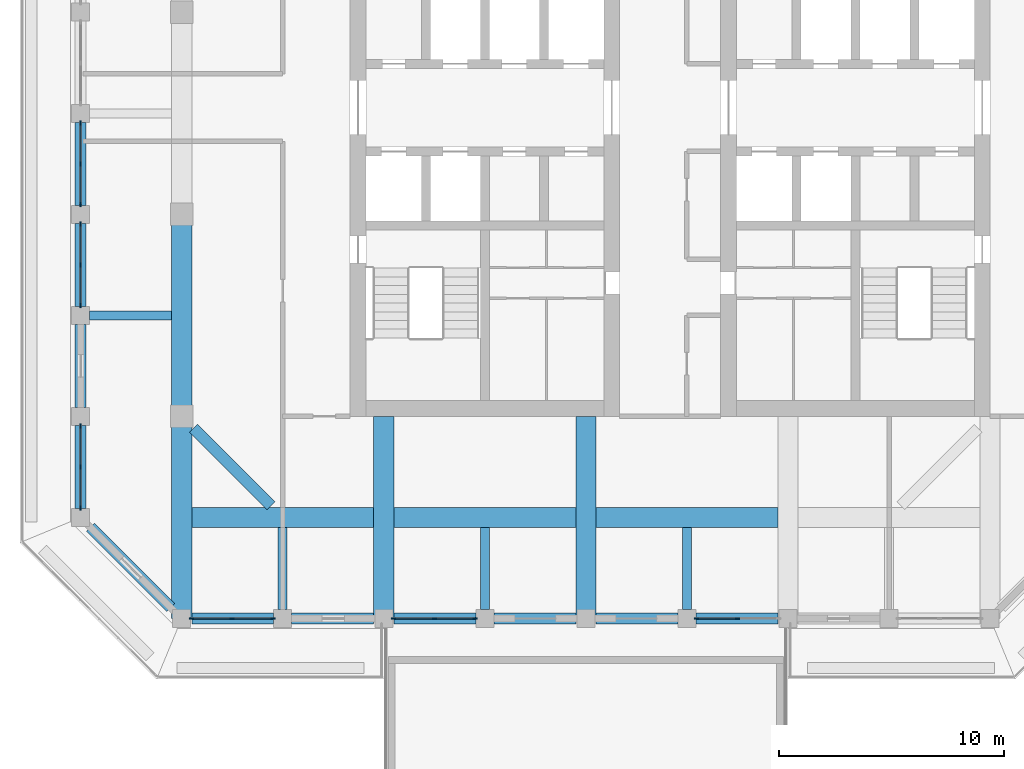
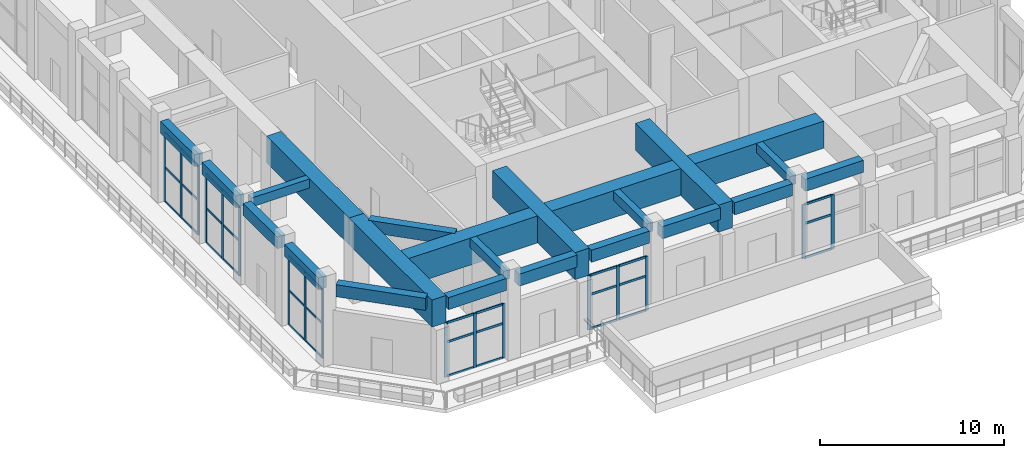
# One storey, part 2 of 20: 50 members, 23 beams, 6 elements without a shape of their own.
"""IFC4 building model written with IfcOpenShell, lengths in metres."""

from ifc_helpers import new_model, si_unit, direction, frame, origin, origin_2d, place, context, subcontext, project, spatial, rectangle, extrude, material, material_profile, profile_set, type_object, element, aggregate, save


model = new_model("IFC4")

# Units and contexts
model_context = context("Model", 3, precision=1e-05, world=origin(), true_north=direction((0.0, 1.0)))
body_context = subcontext(model_context, "Body", "Model", "MODEL_VIEW")
ifc_project = project(units=[si_unit("LENGTHUNIT", "METRE"), si_unit("AREAUNIT", "SQUARE_METRE"), si_unit("VOLUMEUNIT", "CUBIC_METRE"), si_unit("PLANEANGLEUNIT", "RADIAN"), si_unit("MASSUNIT", "GRAM", prefix="KILO")], contexts=[model_context])

# Site, building, storey
site_placement = place(None, origin())
site = spatial("IfcSite", under=ifc_project, at=site_placement, CompositionType="ELEMENT")
building_placement = place(site_placement, origin())
building = spatial("IfcBuilding", under=site, at=building_placement, Name="Corbel Stack Research Tower", CompositionType="ELEMENT")
storey_placement = place(building_placement, frame((0.0, 0.0, 295.0)))
storey = spatial("IfcBuildingStorey", under=building, at=storey_placement, Name="L67", CompositionType="ELEMENT", Elevation=295.0)

# Curtain wall, members
ifc_material_1 = material(Name="Aluminium frame, clear glass", Category="aluminium")
curtain_wall_type = type_object("IfcCurtainWallType", Name="Upper amenity floor curtain wall CW3", PredefinedType="NOTDEFINED", material=ifc_material_1)
curtain_wall_1_placement = place(storey_placement, origin())
curtain_wall_1 = element("IfcCurtainWall", 1, at=curtain_wall_1_placement, inside=storey, type_object=curtain_wall_type, Name="Curtain wall CW3 L67 S01", PredefinedType="NOTDEFINED")
ifc_material_2 = material(Name="Aluminium mullion", Category="aluminium")
ifc_material_profile_1 = material_profile(ifc_material_2, rectangle(XDim=0.06005859375, YDim=0.199951171875, at=origin_2d()), Name="Mullion 60 x 200")
ifc_profile_set_1 = profile_set([ifc_material_profile_1], Name="Aluminium mullion")
member_type_1 = type_object("IfcMemberType", Name="Curtain wall mullion 60 x 200", PredefinedType="MULLION", material=ifc_profile_set_1)
member_1_placement = place(storey_placement, frame((-17.570068359375, -18.0, 0.0), z_axis=(0.0, 0.0, 1.0), x_axis=(0.0, 1.0, 0.0)))
member_1 = element("IfcMember", 2, at=member_1_placement, type_object=member_type_1, Name="CW3 mullion 1", PredefinedType="MULLION", context=body_context, shape_type="SweptSolid", body=[
    extrude(rectangle(XDim=0.06005859375, YDim=0.199951171875, at=origin_2d()), origin(), (0.0, 0.0, 1.0), 3.60009765625),
])
member_2_placement = place(storey_placement, frame((-15.75, -18.0, 0.0), z_axis=(0.0, 0.0, 1.0), x_axis=(0.0, 1.0, 0.0)))
member_2 = element("IfcMember", 3, at=member_2_placement, type_object=member_type_1, Name="CW3 mullion 2", PredefinedType="MULLION", context=body_context, shape_type="SweptSolid", body=[
    extrude(rectangle(XDim=0.06005859375, YDim=0.199951171875, at=origin_2d()), origin(), (0.0, 0.0, 1.0), 3.60009765625),
])
member_3_placement = place(storey_placement, frame((-13.929931640625, -18.0, 0.0), z_axis=(0.0, 0.0, 1.0), x_axis=(0.0, 1.0, 0.0)))
member_3 = element("IfcMember", 4, at=member_3_placement, type_object=member_type_1, Name="CW3 mullion 3", PredefinedType="MULLION", context=body_context, shape_type="SweptSolid", body=[
    extrude(rectangle(XDim=0.06005859375, YDim=0.199951171875, at=origin_2d()), origin(), (0.0, 0.0, 1.0), 3.60009765625),
])

curtain_wall_2_placement = place(storey_placement, origin())
curtain_wall_2 = element("IfcCurtainWall", 5, at=curtain_wall_2_placement, inside=storey, type_object=curtain_wall_type, Name="Curtain wall CW3 L67 S03", PredefinedType="NOTDEFINED")
member_4_placement = place(storey_placement, frame((-8.570068359375, -18.0, 0.0), z_axis=(0.0, 0.0, 1.0), x_axis=(0.0, 1.0, 0.0)))
member_4 = element("IfcMember", 6, at=member_4_placement, type_object=member_type_1, Name="CW3 mullion 1", PredefinedType="MULLION", context=body_context, shape_type="SweptSolid", body=[
    extrude(rectangle(XDim=0.06005859375, YDim=0.199951171875, at=origin_2d()), origin(), (0.0, 0.0, 1.0), 3.60009765625),
])
member_5_placement = place(storey_placement, frame((-6.75, -18.0, 0.0), z_axis=(0.0, 0.0, 1.0), x_axis=(0.0, 1.0, 0.0)))
member_5 = element("IfcMember", 7, at=member_5_placement, type_object=member_type_1, Name="CW3 mullion 2", PredefinedType="MULLION", context=body_context, shape_type="SweptSolid", body=[
    extrude(rectangle(XDim=0.06005859375, YDim=0.199951171875, at=origin_2d()), origin(), (0.0, 0.0, 1.0), 3.60009765625),
])
member_6_placement = place(storey_placement, frame((-4.929931640625, -18.0, 0.0), z_axis=(0.0, 0.0, 1.0), x_axis=(0.0, 1.0, 0.0)))
member_6 = element("IfcMember", 8, at=member_6_placement, type_object=member_type_1, Name="CW3 mullion 3", PredefinedType="MULLION", context=body_context, shape_type="SweptSolid", body=[
    extrude(rectangle(XDim=0.06005859375, YDim=0.199951171875, at=origin_2d()), origin(), (0.0, 0.0, 1.0), 3.60009765625),
])

curtain_wall_3_placement = place(storey_placement, origin())
curtain_wall_3 = element("IfcCurtainWall", 9, at=curtain_wall_3_placement, inside=storey, type_object=curtain_wall_type, Name="Curtain wall CW3 L67 S06", PredefinedType="NOTDEFINED")
member_7_placement = place(storey_placement, frame((4.929931640625, -18.0, 0.0), z_axis=(0.0, 0.0, 1.0), x_axis=(0.0, 1.0, 0.0)))
member_7 = element("IfcMember", 10, at=member_7_placement, type_object=member_type_1, Name="CW3 mullion 1", PredefinedType="MULLION", context=body_context, shape_type="SweptSolid", body=[
    extrude(rectangle(XDim=0.06005859375, YDim=0.199951171875, at=origin_2d()), origin(), (0.0, 0.0, 1.0), 3.60009765625),
])
member_8_placement = place(storey_placement, frame((6.75, -18.0, 0.0), z_axis=(0.0, 0.0, 1.0), x_axis=(0.0, 1.0, 0.0)))
member_8 = element("IfcMember", 11, at=member_8_placement, type_object=member_type_1, Name="CW3 mullion 2", PredefinedType="MULLION", context=body_context, shape_type="SweptSolid", body=[
    extrude(rectangle(XDim=0.06005859375, YDim=0.199951171875, at=origin_2d()), origin(), (0.0, 0.0, 1.0), 3.60009765625),
])

curtain_wall_4_placement = place(storey_placement, origin())
curtain_wall_4 = element("IfcCurtainWall", 12, at=curtain_wall_4_placement, inside=storey, type_object=curtain_wall_type, Name="Curtain wall CW3 L67 W05", PredefinedType="NOTDEFINED")
member_9_placement = place(storey_placement, frame((-22.5, 4.070068359375, 0.0), z_axis=(0.0, 0.0, 1.0), x_axis=(1.0, 0.0, 0.0)))
member_9 = element("IfcMember", 13, at=member_9_placement, type_object=member_type_1, Name="CW3 mullion 1", PredefinedType="MULLION", context=body_context, shape_type="SweptSolid", body=[
    extrude(rectangle(XDim=0.06005859375, YDim=0.199951171875, at=origin_2d()), origin(), (0.0, 0.0, 1.0), 4.60009765625),
])
member_10_placement = place(storey_placement, frame((-22.5, 2.25, 0.0), z_axis=(0.0, 0.0, 1.0), x_axis=(1.0, 0.0, 0.0)))
member_10 = element("IfcMember", 14, at=member_10_placement, type_object=member_type_1, Name="CW3 mullion 2", PredefinedType="MULLION", context=body_context, shape_type="SweptSolid", body=[
    extrude(rectangle(XDim=0.06005859375, YDim=0.199951171875, at=origin_2d()), origin(), (0.0, 0.0, 1.0), 4.60009765625),
])
member_11_placement = place(storey_placement, frame((-22.5, 0.429931640625, 0.0), z_axis=(0.0, 0.0, 1.0), x_axis=(1.0, 0.0, 0.0)))
member_11 = element("IfcMember", 15, at=member_11_placement, type_object=member_type_1, Name="CW3 mullion 3", PredefinedType="MULLION", context=body_context, shape_type="SweptSolid", body=[
    extrude(rectangle(XDim=0.06005859375, YDim=0.199951171875, at=origin_2d()), origin(), (0.0, 0.0, 1.0), 4.60009765625),
])

curtain_wall_5_placement = place(storey_placement, origin())
curtain_wall_5 = element("IfcCurtainWall", 16, at=curtain_wall_5_placement, inside=storey, type_object=curtain_wall_type, Name="Curtain wall CW3 L67 W06", PredefinedType="NOTDEFINED")
member_12_placement = place(storey_placement, frame((-22.5, -0.429931640625, 0.0), z_axis=(0.0, 0.0, 1.0), x_axis=(1.0, 0.0, 0.0)))
member_12 = element("IfcMember", 17, at=member_12_placement, type_object=member_type_1, Name="CW3 mullion 1", PredefinedType="MULLION", context=body_context, shape_type="SweptSolid", body=[
    extrude(rectangle(XDim=0.06005859375, YDim=0.199951171875, at=origin_2d()), origin(), (0.0, 0.0, 1.0), 4.60009765625),
])
member_13_placement = place(storey_placement, frame((-22.5, -2.25, 0.0), z_axis=(0.0, 0.0, 1.0), x_axis=(1.0, 0.0, 0.0)))
member_13 = element("IfcMember", 18, at=member_13_placement, type_object=member_type_1, Name="CW3 mullion 2", PredefinedType="MULLION", context=body_context, shape_type="SweptSolid", body=[
    extrude(rectangle(XDim=0.06005859375, YDim=0.199951171875, at=origin_2d()), origin(), (0.0, 0.0, 1.0), 4.60009765625),
])
member_14_placement = place(storey_placement, frame((-22.5, -4.070068359375, 0.0), z_axis=(0.0, 0.0, 1.0), x_axis=(1.0, 0.0, 0.0)))
member_14 = element("IfcMember", 19, at=member_14_placement, type_object=member_type_1, Name="CW3 mullion 3", PredefinedType="MULLION", context=body_context, shape_type="SweptSolid", body=[
    extrude(rectangle(XDim=0.06005859375, YDim=0.199951171875, at=origin_2d()), origin(), (0.0, 0.0, 1.0), 4.60009765625),
])

curtain_wall_6_placement = place(storey_placement, origin())
curtain_wall_6 = element("IfcCurtainWall", 20, at=curtain_wall_6_placement, inside=storey, type_object=curtain_wall_type, Name="Curtain wall CW3 L67 W08", PredefinedType="NOTDEFINED")
member_15_placement = place(storey_placement, frame((-22.5, -9.429931640625, 0.0), z_axis=(0.0, 0.0, 1.0), x_axis=(1.0, 0.0, 0.0)))
member_15 = element("IfcMember", 21, at=member_15_placement, type_object=member_type_1, Name="CW3 mullion 1", PredefinedType="MULLION", context=body_context, shape_type="SweptSolid", body=[
    extrude(rectangle(XDim=0.06005859375, YDim=0.199951171875, at=origin_2d()), origin(), (0.0, 0.0, 1.0), 4.60009765625),
])
member_16_placement = place(storey_placement, frame((-22.5, -11.25, 0.0), z_axis=(0.0, 0.0, 1.0), x_axis=(1.0, 0.0, 0.0)))
member_16 = element("IfcMember", 22, at=member_16_placement, type_object=member_type_1, Name="CW3 mullion 2", PredefinedType="MULLION", context=body_context, shape_type="SweptSolid", body=[
    extrude(rectangle(XDim=0.06005859375, YDim=0.199951171875, at=origin_2d()), origin(), (0.0, 0.0, 1.0), 4.60009765625),
])
member_17_placement = place(storey_placement, frame((-22.5, -13.070068359375, 0.0), z_axis=(0.0, 0.0, 1.0), x_axis=(1.0, 0.0, 0.0)))
member_17 = element("IfcMember", 23, at=member_17_placement, type_object=member_type_1, Name="CW3 mullion 3", PredefinedType="MULLION", context=body_context, shape_type="SweptSolid", body=[
    extrude(rectangle(XDim=0.06005859375, YDim=0.199951171875, at=origin_2d()), origin(), (0.0, 0.0, 1.0), 4.60009765625),
])

# Member
ifc_material_3 = material(Name="Aluminium transom", Category="aluminium")
ifc_material_profile_2 = material_profile(ifc_material_3, rectangle(XDim=0.06005859375, YDim=0.14990234375, at=origin_2d()), Name="Transom 60 x 150")
ifc_profile_set_2 = profile_set([ifc_material_profile_2], Name="Aluminium transom")
member_type_2 = type_object("IfcMemberType", Name="Curtain wall transom 60 x 150", PredefinedType="USERDEFINED", material=ifc_profile_set_2)
member_18_placement = place(storey_placement, frame((-17.5400390625, -18.0, 0.030029296875), z_axis=(1.0, 0.0, 0.0), x_axis=(0.0, 1.0, 0.0)))
member_18 = element("IfcMember", 24, at=member_18_placement, type_object=member_type_2, Name="CW3 transom 1.1", ObjectType="TRANSOM", PredefinedType="USERDEFINED", context=body_context, shape_type="SweptSolid", body=[
    extrude(rectangle(XDim=0.06005859375, YDim=0.14990234375, at=origin_2d()), origin(), (0.0, 0.0, 1.0), 1.760009765625),
])

member_19_placement = place(storey_placement, frame((-17.5400390625, -18.0, 2.300048828125), z_axis=(1.0, 0.0, 0.0), x_axis=(0.0, 1.0, 0.0)))
member_19 = element("IfcMember", 25, at=member_19_placement, type_object=member_type_2, Name="CW3 transom 1.2", ObjectType="TRANSOM", PredefinedType="USERDEFINED", context=body_context, shape_type="SweptSolid", body=[
    extrude(rectangle(XDim=0.06005859375, YDim=0.14990234375, at=origin_2d()), origin(), (0.0, 0.0, 1.0), 1.760009765625),
])

member_20_placement = place(storey_placement, frame((-17.5400390625, -18.0, 3.570068359375), z_axis=(1.0, 0.0, 0.0), x_axis=(0.0, 1.0, 0.0)))
member_20 = element("IfcMember", 26, at=member_20_placement, type_object=member_type_2, Name="CW3 transom 1.3", ObjectType="TRANSOM", PredefinedType="USERDEFINED", context=body_context, shape_type="SweptSolid", body=[
    extrude(rectangle(XDim=0.06005859375, YDim=0.14990234375, at=origin_2d()), origin(), (0.0, 0.0, 1.0), 1.760009765625),
])

member_21_placement = place(storey_placement, frame((-15.719970703125, -18.0, 0.030029296875), z_axis=(1.0, 0.0, 0.0), x_axis=(0.0, 1.0, 0.0)))
member_21 = element("IfcMember", 27, at=member_21_placement, type_object=member_type_2, Name="CW3 transom 2.1", ObjectType="TRANSOM", PredefinedType="USERDEFINED", context=body_context, shape_type="SweptSolid", body=[
    extrude(rectangle(XDim=0.06005859375, YDim=0.14990234375, at=origin_2d()), origin(), (0.0, 0.0, 1.0), 1.760009765625),
])

member_22_placement = place(storey_placement, frame((-15.719970703125, -18.0, 2.300048828125), z_axis=(1.0, 0.0, 0.0), x_axis=(0.0, 1.0, 0.0)))
member_22 = element("IfcMember", 28, at=member_22_placement, type_object=member_type_2, Name="CW3 transom 2.2", ObjectType="TRANSOM", PredefinedType="USERDEFINED", context=body_context, shape_type="SweptSolid", body=[
    extrude(rectangle(XDim=0.06005859375, YDim=0.14990234375, at=origin_2d()), origin(), (0.0, 0.0, 1.0), 1.760009765625),
])

member_23_placement = place(storey_placement, frame((-15.719970703125, -18.0, 3.570068359375), z_axis=(1.0, 0.0, 0.0), x_axis=(0.0, 1.0, 0.0)))
member_23 = element("IfcMember", 29, at=member_23_placement, type_object=member_type_2, Name="CW3 transom 2.3", ObjectType="TRANSOM", PredefinedType="USERDEFINED", context=body_context, shape_type="SweptSolid", body=[
    extrude(rectangle(XDim=0.06005859375, YDim=0.14990234375, at=origin_2d()), origin(), (0.0, 0.0, 1.0), 1.760009765625),
])

aggregate(curtain_wall_1, [member_1, member_2, member_3, member_18, member_19, member_20, member_21, member_22, member_23])

member_24_placement = place(storey_placement, frame((-8.5400390625, -18.0, 0.030029296875), z_axis=(1.0, 0.0, 0.0), x_axis=(0.0, 1.0, 0.0)))
member_24 = element("IfcMember", 30, at=member_24_placement, type_object=member_type_2, Name="CW3 transom 1.1", ObjectType="TRANSOM", PredefinedType="USERDEFINED", context=body_context, shape_type="SweptSolid", body=[
    extrude(rectangle(XDim=0.06005859375, YDim=0.14990234375, at=origin_2d()), origin(), (0.0, 0.0, 1.0), 1.760009765625),
])

member_25_placement = place(storey_placement, frame((-8.5400390625, -18.0, 2.300048828125), z_axis=(1.0, 0.0, 0.0), x_axis=(0.0, 1.0, 0.0)))
member_25 = element("IfcMember", 31, at=member_25_placement, type_object=member_type_2, Name="CW3 transom 1.2", ObjectType="TRANSOM", PredefinedType="USERDEFINED", context=body_context, shape_type="SweptSolid", body=[
    extrude(rectangle(XDim=0.06005859375, YDim=0.14990234375, at=origin_2d()), origin(), (0.0, 0.0, 1.0), 1.760009765625),
])

member_26_placement = place(storey_placement, frame((-8.5400390625, -18.0, 3.570068359375), z_axis=(1.0, 0.0, 0.0), x_axis=(0.0, 1.0, 0.0)))
member_26 = element("IfcMember", 32, at=member_26_placement, type_object=member_type_2, Name="CW3 transom 1.3", ObjectType="TRANSOM", PredefinedType="USERDEFINED", context=body_context, shape_type="SweptSolid", body=[
    extrude(rectangle(XDim=0.06005859375, YDim=0.14990234375, at=origin_2d()), origin(), (0.0, 0.0, 1.0), 1.760009765625),
])

member_27_placement = place(storey_placement, frame((-6.719970703125, -18.0, 0.030029296875), z_axis=(1.0, 0.0, 0.0), x_axis=(0.0, 1.0, 0.0)))
member_27 = element("IfcMember", 33, at=member_27_placement, type_object=member_type_2, Name="CW3 transom 2.1", ObjectType="TRANSOM", PredefinedType="USERDEFINED", context=body_context, shape_type="SweptSolid", body=[
    extrude(rectangle(XDim=0.06005859375, YDim=0.14990234375, at=origin_2d()), origin(), (0.0, 0.0, 1.0), 1.760009765625),
])

member_28_placement = place(storey_placement, frame((-6.719970703125, -18.0, 2.300048828125), z_axis=(1.0, 0.0, 0.0), x_axis=(0.0, 1.0, 0.0)))
member_28 = element("IfcMember", 34, at=member_28_placement, type_object=member_type_2, Name="CW3 transom 2.2", ObjectType="TRANSOM", PredefinedType="USERDEFINED", context=body_context, shape_type="SweptSolid", body=[
    extrude(rectangle(XDim=0.06005859375, YDim=0.14990234375, at=origin_2d()), origin(), (0.0, 0.0, 1.0), 1.760009765625),
])

member_29_placement = place(storey_placement, frame((-6.719970703125, -18.0, 3.570068359375), z_axis=(1.0, 0.0, 0.0), x_axis=(0.0, 1.0, 0.0)))
member_29 = element("IfcMember", 35, at=member_29_placement, type_object=member_type_2, Name="CW3 transom 2.3", ObjectType="TRANSOM", PredefinedType="USERDEFINED", context=body_context, shape_type="SweptSolid", body=[
    extrude(rectangle(XDim=0.06005859375, YDim=0.14990234375, at=origin_2d()), origin(), (0.0, 0.0, 1.0), 1.760009765625),
])

aggregate(curtain_wall_2, [member_4, member_5, member_6, member_24, member_25, member_26, member_27, member_28, member_29])

member_30_placement = place(storey_placement, frame((4.9599609375, -18.0, 0.030029296875), z_axis=(1.0, 0.0, 0.0), x_axis=(0.0, 1.0, 0.0)))
member_30 = element("IfcMember", 36, at=member_30_placement, type_object=member_type_2, Name="CW3 transom 1.1", ObjectType="TRANSOM", PredefinedType="USERDEFINED", context=body_context, shape_type="SweptSolid", body=[
    extrude(rectangle(XDim=0.06005859375, YDim=0.14990234375, at=origin_2d()), origin(), (0.0, 0.0, 1.0), 1.760009765625),
])

member_31_placement = place(storey_placement, frame((4.9599609375, -18.0, 2.300048828125), z_axis=(1.0, 0.0, 0.0), x_axis=(0.0, 1.0, 0.0)))
member_31 = element("IfcMember", 37, at=member_31_placement, type_object=member_type_2, Name="CW3 transom 1.2", ObjectType="TRANSOM", PredefinedType="USERDEFINED", context=body_context, shape_type="SweptSolid", body=[
    extrude(rectangle(XDim=0.06005859375, YDim=0.14990234375, at=origin_2d()), origin(), (0.0, 0.0, 1.0), 1.760009765625),
])

member_32_placement = place(storey_placement, frame((4.9599609375, -18.0, 3.570068359375), z_axis=(1.0, 0.0, 0.0), x_axis=(0.0, 1.0, 0.0)))
member_32 = element("IfcMember", 38, at=member_32_placement, type_object=member_type_2, Name="CW3 transom 1.3", ObjectType="TRANSOM", PredefinedType="USERDEFINED", context=body_context, shape_type="SweptSolid", body=[
    extrude(rectangle(XDim=0.06005859375, YDim=0.14990234375, at=origin_2d()), origin(), (0.0, 0.0, 1.0), 1.760009765625),
])

aggregate(curtain_wall_3, [member_7, member_8, member_30, member_31, member_32])

member_33_placement = place(storey_placement, frame((-22.5, 4.0400390625, 0.030029296875), z_axis=(0.0, -1.0, 0.0), x_axis=(1.0, 0.0, 0.0)))
member_33 = element("IfcMember", 39, at=member_33_placement, type_object=member_type_2, Name="CW3 transom 1.1", ObjectType="TRANSOM", PredefinedType="USERDEFINED", context=body_context, shape_type="SweptSolid", body=[
    extrude(rectangle(XDim=0.06005859375, YDim=0.14990234375, at=origin_2d()), origin(), (0.0, 0.0, 1.0), 1.760009765625),
])

member_34_placement = place(storey_placement, frame((-22.5, 4.0400390625, 2.300048828125), z_axis=(0.0, -1.0, 0.0), x_axis=(1.0, 0.0, 0.0)))
member_34 = element("IfcMember", 40, at=member_34_placement, type_object=member_type_2, Name="CW3 transom 1.2", ObjectType="TRANSOM", PredefinedType="USERDEFINED", context=body_context, shape_type="SweptSolid", body=[
    extrude(rectangle(XDim=0.06005859375, YDim=0.14990234375, at=origin_2d()), origin(), (0.0, 0.0, 1.0), 1.760009765625),
])

member_35_placement = place(storey_placement, frame((-22.5, 4.0400390625, 4.570068359375), z_axis=(0.0, -1.0, 0.0), x_axis=(1.0, 0.0, 0.0)))
member_35 = element("IfcMember", 41, at=member_35_placement, type_object=member_type_2, Name="CW3 transom 1.3", ObjectType="TRANSOM", PredefinedType="USERDEFINED", context=body_context, shape_type="SweptSolid", body=[
    extrude(rectangle(XDim=0.06005859375, YDim=0.14990234375, at=origin_2d()), origin(), (0.0, 0.0, 1.0), 1.760009765625),
])

member_36_placement = place(storey_placement, frame((-22.5, 2.219970703125, 0.030029296875), z_axis=(0.0, -1.0, 0.0), x_axis=(1.0, 0.0, 0.0)))
member_36 = element("IfcMember", 42, at=member_36_placement, type_object=member_type_2, Name="CW3 transom 2.1", ObjectType="TRANSOM", PredefinedType="USERDEFINED", context=body_context, shape_type="SweptSolid", body=[
    extrude(rectangle(XDim=0.06005859375, YDim=0.14990234375, at=origin_2d()), origin(), (0.0, 0.0, 1.0), 1.760009765625),
])

member_37_placement = place(storey_placement, frame((-22.5, 2.219970703125, 2.300048828125), z_axis=(0.0, -1.0, 0.0), x_axis=(1.0, 0.0, 0.0)))
member_37 = element("IfcMember", 43, at=member_37_placement, type_object=member_type_2, Name="CW3 transom 2.2", ObjectType="TRANSOM", PredefinedType="USERDEFINED", context=body_context, shape_type="SweptSolid", body=[
    extrude(rectangle(XDim=0.06005859375, YDim=0.14990234375, at=origin_2d()), origin(), (0.0, 0.0, 1.0), 1.760009765625),
])

member_38_placement = place(storey_placement, frame((-22.5, 2.219970703125, 4.570068359375), z_axis=(0.0, -1.0, 0.0), x_axis=(1.0, 0.0, 0.0)))
member_38 = element("IfcMember", 44, at=member_38_placement, type_object=member_type_2, Name="CW3 transom 2.3", ObjectType="TRANSOM", PredefinedType="USERDEFINED", context=body_context, shape_type="SweptSolid", body=[
    extrude(rectangle(XDim=0.06005859375, YDim=0.14990234375, at=origin_2d()), origin(), (0.0, 0.0, 1.0), 1.760009765625),
])

aggregate(curtain_wall_4, [member_9, member_10, member_11, member_33, member_34, member_35, member_36, member_37, member_38])

member_39_placement = place(storey_placement, frame((-22.5, -0.4599609375, 0.030029296875), z_axis=(0.0, -1.0, 0.0), x_axis=(1.0, 0.0, 0.0)))
member_39 = element("IfcMember", 45, at=member_39_placement, type_object=member_type_2, Name="CW3 transom 1.1", ObjectType="TRANSOM", PredefinedType="USERDEFINED", context=body_context, shape_type="SweptSolid", body=[
    extrude(rectangle(XDim=0.06005859375, YDim=0.14990234375, at=origin_2d()), origin(), (0.0, 0.0, 1.0), 1.760009765625),
])

member_40_placement = place(storey_placement, frame((-22.5, -0.4599609375, 2.300048828125), z_axis=(0.0, -1.0, 0.0), x_axis=(1.0, 0.0, 0.0)))
member_40 = element("IfcMember", 46, at=member_40_placement, type_object=member_type_2, Name="CW3 transom 1.2", ObjectType="TRANSOM", PredefinedType="USERDEFINED", context=body_context, shape_type="SweptSolid", body=[
    extrude(rectangle(XDim=0.06005859375, YDim=0.14990234375, at=origin_2d()), origin(), (0.0, 0.0, 1.0), 1.760009765625),
])

member_41_placement = place(storey_placement, frame((-22.5, -0.4599609375, 4.570068359375), z_axis=(0.0, -1.0, 0.0), x_axis=(1.0, 0.0, 0.0)))
member_41 = element("IfcMember", 47, at=member_41_placement, type_object=member_type_2, Name="CW3 transom 1.3", ObjectType="TRANSOM", PredefinedType="USERDEFINED", context=body_context, shape_type="SweptSolid", body=[
    extrude(rectangle(XDim=0.06005859375, YDim=0.14990234375, at=origin_2d()), origin(), (0.0, 0.0, 1.0), 1.760009765625),
])

member_42_placement = place(storey_placement, frame((-22.5, -2.280029296875, 0.030029296875), z_axis=(0.0, -1.0, 0.0), x_axis=(1.0, 0.0, 0.0)))
member_42 = element("IfcMember", 48, at=member_42_placement, type_object=member_type_2, Name="CW3 transom 2.1", ObjectType="TRANSOM", PredefinedType="USERDEFINED", context=body_context, shape_type="SweptSolid", body=[
    extrude(rectangle(XDim=0.06005859375, YDim=0.14990234375, at=origin_2d()), origin(), (0.0, 0.0, 1.0), 1.760009765625),
])

member_43_placement = place(storey_placement, frame((-22.5, -2.280029296875, 2.300048828125), z_axis=(0.0, -1.0, 0.0), x_axis=(1.0, 0.0, 0.0)))
member_43 = element("IfcMember", 49, at=member_43_placement, type_object=member_type_2, Name="CW3 transom 2.2", ObjectType="TRANSOM", PredefinedType="USERDEFINED", context=body_context, shape_type="SweptSolid", body=[
    extrude(rectangle(XDim=0.06005859375, YDim=0.14990234375, at=origin_2d()), origin(), (0.0, 0.0, 1.0), 1.760009765625),
])

member_44_placement = place(storey_placement, frame((-22.5, -2.280029296875, 4.570068359375), z_axis=(0.0, -1.0, 0.0), x_axis=(1.0, 0.0, 0.0)))
member_44 = element("IfcMember", 50, at=member_44_placement, type_object=member_type_2, Name="CW3 transom 2.3", ObjectType="TRANSOM", PredefinedType="USERDEFINED", context=body_context, shape_type="SweptSolid", body=[
    extrude(rectangle(XDim=0.06005859375, YDim=0.14990234375, at=origin_2d()), origin(), (0.0, 0.0, 1.0), 1.760009765625),
])

aggregate(curtain_wall_5, [member_12, member_13, member_14, member_39, member_40, member_41, member_42, member_43, member_44])

member_45_placement = place(storey_placement, frame((-22.5, -9.4599609375, 0.030029296875), z_axis=(0.0, -1.0, 0.0), x_axis=(1.0, 0.0, 0.0)))
member_45 = element("IfcMember", 51, at=member_45_placement, type_object=member_type_2, Name="CW3 transom 1.1", ObjectType="TRANSOM", PredefinedType="USERDEFINED", context=body_context, shape_type="SweptSolid", body=[
    extrude(rectangle(XDim=0.06005859375, YDim=0.14990234375, at=origin_2d()), origin(), (0.0, 0.0, 1.0), 1.760009765625),
])

member_46_placement = place(storey_placement, frame((-22.5, -9.4599609375, 2.300048828125), z_axis=(0.0, -1.0, 0.0), x_axis=(1.0, 0.0, 0.0)))
member_46 = element("IfcMember", 52, at=member_46_placement, type_object=member_type_2, Name="CW3 transom 1.2", ObjectType="TRANSOM", PredefinedType="USERDEFINED", context=body_context, shape_type="SweptSolid", body=[
    extrude(rectangle(XDim=0.06005859375, YDim=0.14990234375, at=origin_2d()), origin(), (0.0, 0.0, 1.0), 1.760009765625),
])

member_47_placement = place(storey_placement, frame((-22.5, -9.4599609375, 4.570068359375), z_axis=(0.0, -1.0, 0.0), x_axis=(1.0, 0.0, 0.0)))
member_47 = element("IfcMember", 53, at=member_47_placement, type_object=member_type_2, Name="CW3 transom 1.3", ObjectType="TRANSOM", PredefinedType="USERDEFINED", context=body_context, shape_type="SweptSolid", body=[
    extrude(rectangle(XDim=0.06005859375, YDim=0.14990234375, at=origin_2d()), origin(), (0.0, 0.0, 1.0), 1.760009765625),
])

member_48_placement = place(storey_placement, frame((-22.5, -11.280029296875, 0.030029296875), z_axis=(0.0, -1.0, 0.0), x_axis=(1.0, 0.0, 0.0)))
member_48 = element("IfcMember", 54, at=member_48_placement, type_object=member_type_2, Name="CW3 transom 2.1", ObjectType="TRANSOM", PredefinedType="USERDEFINED", context=body_context, shape_type="SweptSolid", body=[
    extrude(rectangle(XDim=0.06005859375, YDim=0.14990234375, at=origin_2d()), origin(), (0.0, 0.0, 1.0), 1.760009765625),
])

member_49_placement = place(storey_placement, frame((-22.5, -11.280029296875, 2.300048828125), z_axis=(0.0, -1.0, 0.0), x_axis=(1.0, 0.0, 0.0)))
member_49 = element("IfcMember", 55, at=member_49_placement, type_object=member_type_2, Name="CW3 transom 2.2", ObjectType="TRANSOM", PredefinedType="USERDEFINED", context=body_context, shape_type="SweptSolid", body=[
    extrude(rectangle(XDim=0.06005859375, YDim=0.14990234375, at=origin_2d()), origin(), (0.0, 0.0, 1.0), 1.760009765625),
])

member_50_placement = place(storey_placement, frame((-22.5, -11.280029296875, 4.570068359375), z_axis=(0.0, -1.0, 0.0), x_axis=(1.0, 0.0, 0.0)))
member_50 = element("IfcMember", 56, at=member_50_placement, type_object=member_type_2, Name="CW3 transom 2.3", ObjectType="TRANSOM", PredefinedType="USERDEFINED", context=body_context, shape_type="SweptSolid", body=[
    extrude(rectangle(XDim=0.06005859375, YDim=0.14990234375, at=origin_2d()), origin(), (0.0, 0.0, 1.0), 1.760009765625),
])

aggregate(curtain_wall_6, [member_15, member_16, member_17, member_45, member_46, member_47, member_48, member_49, member_50])

# Beams
ifc_material_4 = material(Name="Concrete C60/75", Category="concrete")
ifc_material_profile_3 = material_profile(ifc_material_4, rectangle(XDim=0.5, YDim=0.800048828125, at=origin_2d()), Name="RC 500 x 800")
ifc_profile_set_3 = profile_set([ifc_material_profile_3], Name="Concrete C60/75")
beam_type_1 = type_object("IfcBeamType", Name="SB-500-800-600", PredefinedType="SPANDREL", material=ifc_profile_set_3)
for number, where, z_axis, x_axis, name in (
    (57, (-17.550048828125, -18.0, 5.0), (1.0, 0.0, 0.0), (0.0, 1.0, 0.0), "Spandrel beam L67-01"),
    (58, (-13.10009765625, -18.0, 5.0), (1.0, 0.0, 0.0), (0.0, 1.0, 0.0), "Spandrel beam L67-02"),
    (59, (-8.550048828125, -18.0, 5.0), (1.0, 0.0, 0.0), (0.0, 1.0, 0.0), "Spandrel beam L67-03"),
    (60, (-4.10009765625, -18.0, 5.0), (1.0, 0.0, 0.0), (0.0, 1.0, 0.0), "Spandrel beam L67-04"),
    (61, (0.449951171875, -18.0, 5.0), (1.0, 0.0, 0.0), (0.0, 1.0, 0.0), "Spandrel beam L67-05"),
    (62, (4.89990234375, -18.0, 5.0), (1.0, 0.0, 0.0), (0.0, 1.0, 0.0), "Spandrel beam L67-06"),
):
    element("IfcBeam", number, at=place(storey_placement, frame(where, z_axis=z_axis, x_axis=x_axis)), inside=storey, type_object=beam_type_1, Name=name, PredefinedType="SPANDREL", context=body_context, shape_type="SweptSolid", body=[
        extrude(rectangle(XDim=0.5, YDim=0.800048828125, at=origin_2d()), origin(), (0.0, 0.0, 1.0), 3.650146484375),
    ])
for number, where, z_axis, x_axis, name in (
    (63, (-22.5, 4.10009765625, 5.0), (0.0, -1.0, 0.0), (1.0, 0.0, 0.0), "Spandrel beam L67-32"),
    (64, (-22.5, -0.39990234375, 5.0), (0.0, -1.0, 0.0), (1.0, 0.0, 0.0), "Spandrel beam L67-33"),
    (65, (-22.5, -4.89990234375, 5.0), (0.0, -1.0, 0.0), (1.0, 0.0, 0.0), "Spandrel beam L67-34"),
    (66, (-22.5, -9.39990234375, 5.0), (0.0, -1.0, 0.0), (1.0, 0.0, 0.0), "Spandrel beam L67-35"),
):
    element("IfcBeam", number, at=place(storey_placement, frame(where, z_axis=z_axis, x_axis=x_axis)), inside=storey, type_object=beam_type_1, Name=name, PredefinedType="SPANDREL", context=body_context, shape_type="SweptSolid", body=[
        extrude(rectangle(XDim=0.5, YDim=0.800048828125, at=origin_2d()), origin(), (0.0, 0.0, 1.0), 3.7001953125),
    ])
beam_1_placement = place(storey_placement, frame((-22.0576171875, -13.9423828125, 5.0), z_axis=(0.707106781187, -0.707106781187, 0.0), x_axis=(0.707106781187, 0.707106781187, 0.0)))
element("IfcBeam", 67, at=beam_1_placement, inside=storey, type_object=beam_type_1, Name="Spandrel beam L67-36", PredefinedType="SPANDREL", context=body_context, shape_type="SweptSolid", body=[
    extrude(rectangle(XDim=0.5, YDim=0.800048828125, at=origin_2d()), origin(), (0.0, 0.0, 1.0), 5.0419921875),
])
beam_2_placement = place(storey_placement, frame((-17.47216796875, -9.52783203125, 5.0), z_axis=(0.707106781187, -0.707106781187, 0.0), x_axis=(0.707106781187, 0.707106781187, 0.0)))
element("IfcBeam", 68, at=beam_2_placement, inside=storey, type_object=beam_type_1, Name="Spandrel beam L67-40", PredefinedType="SPANDREL", context=body_context, shape_type="SweptSolid", body=[
    extrude(rectangle(XDim=0.5, YDim=0.800048828125, at=origin_2d()), origin(), (0.0, 0.0, 1.0), 4.87109375),
])
ifc_material_5 = material(Name="Concrete C60/75", Category="concrete")
ifc_material_profile_4 = material_profile(ifc_material_5, rectangle(XDim=0.39990234375, YDim=0.60009765625, at=origin_2d()), Name="RC 400 x 600")
ifc_profile_set_4 = profile_set([ifc_material_profile_4], Name="Concrete C60/75")
beam_type_2 = type_object("IfcBeamType", Name="TG-400-600", PredefinedType="BEAM", material=ifc_profile_set_4)
for number, where, z_axis, x_axis, name in (
    (69, (-18.449951171875, -4.5, 5.10009765625), (-1.0, 0.0, 0.0), (0.0, -1.0, 0.0), "Transfer tie beam L67 t4G"),
    (70, (-13.5, -13.949951171875, 5.10009765625), (0.0, -1.0, 0.0), (1.0, 0.0, 0.0), "Transfer tie beam L67 t5E"),
    (71, (-4.5, -13.949951171875, 5.10009765625), (0.0, -1.0, 0.0), (1.0, 0.0, 0.0), "Transfer tie beam L67 t7E"),
    (72, (4.5, -13.949951171875, 5.10009765625), (0.0, -1.0, 0.0), (1.0, 0.0, 0.0), "Transfer tie beam L67 t9E"),
):
    element("IfcBeam", number, at=place(storey_placement, frame(where, z_axis=z_axis, x_axis=x_axis)), inside=storey, type_object=beam_type_2, Name=name, PredefinedType="BEAM", context=body_context, shape_type="SweptSolid", body=[
        extrude(rectangle(XDim=0.39990234375, YDim=0.60009765625, at=origin_2d()), origin(), (0.0, 0.0, 1.0), 3.650146484375),
    ])
ifc_material_6 = material(Name="Concrete C60/75", Category="concrete")
ifc_material_profile_5 = material_profile(ifc_material_6, rectangle(XDim=0.89990234375, YDim=1.800048828125, at=origin_2d()), Name="RC 900 x 1800")
ifc_profile_set_5 = profile_set([ifc_material_profile_5], Name="Concrete C60/75")
beam_type_3 = type_object("IfcBeamType", Name="TG-900-1800", PredefinedType="BEAM", material=ifc_profile_set_5)
for number, where, z_axis, x_axis, name in (
    (73, (-18.0, -9.0, 4.5), (0.0, 1.0, 0.0), (-1.0, 0.0, 0.0), "Transfer girder along the step L67 Wl-9"),
    (74, (-18.0, -18.0, 4.5), (0.0, 1.0, 0.0), (-1.0, 0.0, 0.0), "Transfer cross girder L67 Sx-18"),
    (75, (-9.0, -18.0, 4.5), (0.0, 1.0, 0.0), (-1.0, 0.0, 0.0), "Transfer cross girder L67 Sx-9"),
    (76, (0.0, -18.0, 4.5), (0.0, 1.0, 0.0), (-1.0, 0.0, 0.0), "Transfer cross girder L67 Sx0"),
):
    element("IfcBeam", number, at=place(storey_placement, frame(where, z_axis=z_axis, x_axis=x_axis)), inside=storey, type_object=beam_type_3, Name=name, PredefinedType="BEAM", context=body_context, shape_type="SweptSolid", body=[
        extrude(rectangle(XDim=0.89990234375, YDim=1.800048828125, at=origin_2d()), origin(), (0.0, 0.0, 1.0), 9.0),
    ])
for number, where, z_axis, x_axis, name in (
    (77, (-17.550048828125, -13.5, 4.5), (1.0, 0.0, 0.0), (0.0, 1.0, 0.0), "Transfer girder along the step L67 Sl-18"),
    (78, (-8.550048828125, -13.5, 4.5), (1.0, 0.0, 0.0), (0.0, 1.0, 0.0), "Transfer girder along the step L67 Sl-9"),
    (79, (0.449951171875, -13.5, 4.5), (1.0, 0.0, 0.0), (0.0, 1.0, 0.0), "Transfer girder along the step L67 Sl0"),
):
    element("IfcBeam", number, at=place(storey_placement, frame(where, z_axis=z_axis, x_axis=x_axis)), inside=storey, type_object=beam_type_3, Name=name, PredefinedType="BEAM", context=body_context, shape_type="SweptSolid", body=[
        extrude(rectangle(XDim=0.89990234375, YDim=1.800048828125, at=origin_2d()), origin(), (0.0, 0.0, 1.0), 8.10009765625),
    ])

save(model, "model.ifc")
